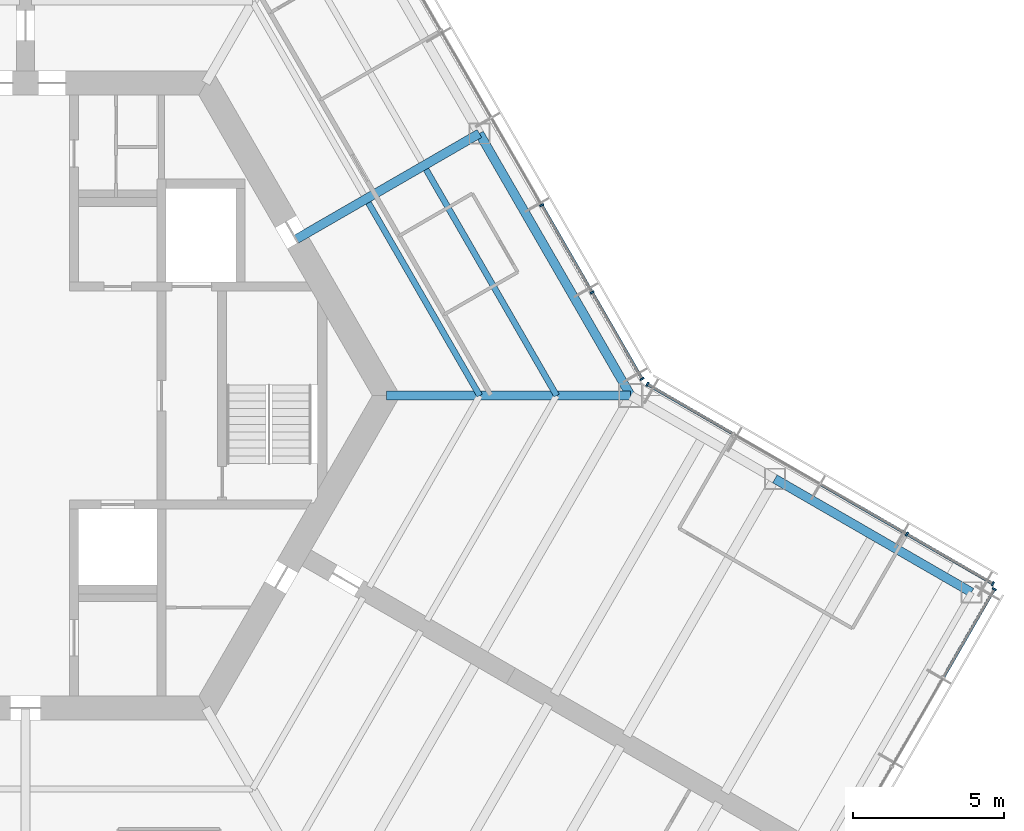
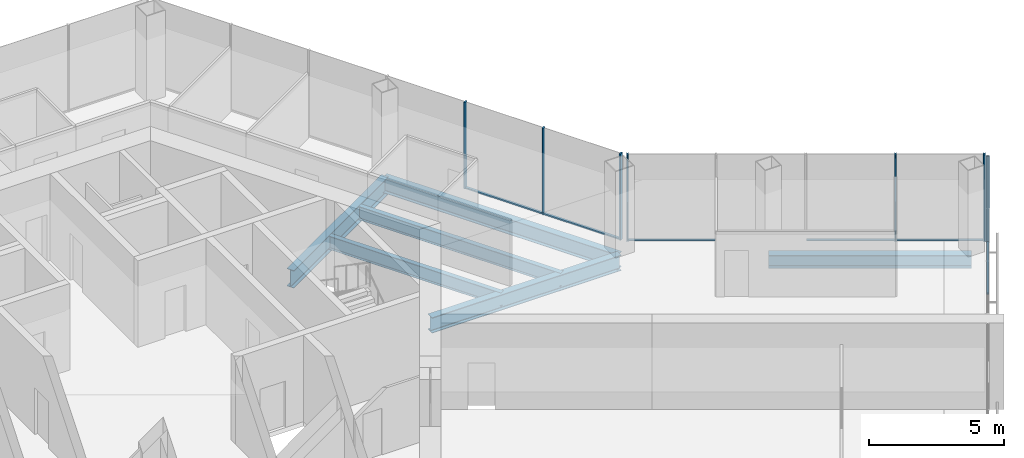
# One storey, part 5 of 15: 13 members, 6 beams, 3 elements without a shape of their own.
"""IFC4 building model written with IfcOpenShell, lengths in metres."""

from ifc_helpers import new_model, si_unit, direction, frame, origin, origin_2d, place, context, subcontext, project, spatial, rectangle, i_section, extrude, material, material_profile, profile_set, type_object, element, aggregate, save


model = new_model("IFC4")

# Units and contexts
model_context = context("Model", 3, precision=1e-05, world=origin(), true_north=direction((0.0, 1.0)))
body_context = subcontext(model_context, "Body", "Model", "MODEL_VIEW")
ifc_project = project(units=[si_unit("LENGTHUNIT", "METRE"), si_unit("AREAUNIT", "SQUARE_METRE"), si_unit("VOLUMEUNIT", "CUBIC_METRE"), si_unit("PLANEANGLEUNIT", "RADIAN"), si_unit("MASSUNIT", "GRAM", prefix="KILO")], contexts=[model_context])

# Site, building, storey
site_placement = place(None, origin())
site = spatial("IfcSite", under=ifc_project, at=site_placement, CompositionType="ELEMENT")
building_placement = place(site_placement, origin())
building = spatial("IfcBuilding", under=site, at=building_placement, Name="Kasaneha Research Tower", CompositionType="ELEMENT")
storey_placement = place(building_placement, frame((0.0, 0.0, 244.0)))
storey = spatial("IfcBuildingStorey", under=building, at=storey_placement, Name="L61", CompositionType="ELEMENT", Elevation=244.0)

# Beams
ifc_material_1 = material(Name="Steel SN490B", Category="steel")
ifc_material_profile_1 = material_profile(ifc_material_1, i_section(OverallWidth=0.199951171875, OverallDepth=0.60009765625, WebThickness=0.010986328125, FlangeThickness=0.01708984375, FilletRadius=0.012939453125, at=origin_2d()), Name="H-600x200x11x17")
ifc_profile_set_1 = profile_set([ifc_material_profile_1], Name="Steel SN490B")
beam_type_1 = type_object("IfcBeamType", Name="B1-3 secondary beam H-600x200x11x17", PredefinedType="JOIST", material=ifc_profile_set_1)
beam_1_placement = place(storey_placement, frame((15.010986328125, 0.0, -0.449951171875), z_axis=(-0.499994443168, 0.866028611999, 0.0), x_axis=(-0.866028611999, -0.499994443168, 0.0)))
element("IfcBeam", 1, at=beam_1_placement, inside=storey, type_object=beam_type_1, Name="Secondary beam RS030L1 L61", PredefinedType="JOIST", context=body_context, shape_type="SweptSolid", body=[
    extrude(i_section(OverallWidth=0.199951171875, OverallDepth=0.60009765625, WebThickness=0.010986328125, FlangeThickness=0.01708984375, FilletRadius=0.012939453125, at=origin_2d()), origin(), (0.0, 0.0, 1.0), 7.35546875),
])
beam_2_placement = place(storey_placement, frame((17.551513671875, 0.0, -0.449951171875), z_axis=(-0.5000050195, 0.866022505755, 0.0), x_axis=(-0.866022505755, -0.5000050195, 0.0)))
element("IfcBeam", 2, at=beam_2_placement, inside=storey, type_object=beam_type_1, Name="Secondary beam RS030L2 L61", PredefinedType="JOIST", context=body_context, shape_type="SweptSolid", body=[
    extrude(i_section(OverallWidth=0.199951171875, OverallDepth=0.60009765625, WebThickness=0.010986328125, FlangeThickness=0.01708984375, FilletRadius=0.012939453125, at=origin_2d()), origin(), (0.0, 0.0, 1.0), 8.6259765625),
])

# Curtain wall, members
ifc_material_2 = material(Name="Glass and aluminium", Category="aluminium")
curtain_wall_type = type_object("IfcCurtainWallType", Name="High-rise office curtain wall", PredefinedType="USERDEFINED", material=ifc_material_2)
curtain_wall_1_placement = place(storey_placement, origin())
curtain_wall_1 = element("IfcCurtainWall", 3, at=curtain_wall_1_placement, inside=storey, type_object=curtain_wall_type, Name="CW-O3 L61 run 01a", ObjectType="UNITISED CURTAIN WALL", PredefinedType="USERDEFINED")
ifc_material_3 = material(Name="Aluminium 6063-T6", Category="aluminium")
ifc_material_profile_2 = material_profile(ifc_material_3, rectangle(XDim=0.06005859375, YDim=0.139892578125, at=origin_2d()), Name="CW-O3 mullion 60x140")
ifc_profile_set_2 = profile_set([ifc_material_profile_2], Name="Aluminium 6063-T6")
member_type_1 = type_object("IfcMemberType", Name="CW-O3 mullion", PredefinedType="MULLION", material=ifc_profile_set_2)
member_1_placement = place(storey_placement, frame((20.374267578125, 0.5517578125, 0.0), z_axis=(0.0, 0.0, 1.0), x_axis=(-0.499999979232, 0.866025415775, 0.0)))
member_1 = element("IfcMember", 4, at=member_1_placement, type_object=member_type_1, Name="CW-O3 mullion 1", PredefinedType="MULLION", context=body_context, shape_type="SweptSolid", body=[
    extrude(rectangle(XDim=0.06005859375, YDim=0.139892578125, at=origin_2d()), origin(), (0.0, 0.0, 1.0), 3.89990234375),
])
member_2_placement = place(storey_placement, frame((18.723876953125, 3.410400390625, 0.0), z_axis=(0.0, 0.0, 1.0), x_axis=(-0.499999979232, 0.866025415775, 0.0)))
member_2 = element("IfcMember", 5, at=member_2_placement, type_object=member_type_1, Name="CW-O3 mullion 2", PredefinedType="MULLION", context=body_context, shape_type="SweptSolid", body=[
    extrude(rectangle(XDim=0.06005859375, YDim=0.139892578125, at=origin_2d()), origin(), (0.0, 0.0, 1.0), 3.89990234375),
])
member_3_placement = place(storey_placement, frame((17.058349609375, 6.295166015625, 0.0), z_axis=(0.0, 0.0, 1.0), x_axis=(-0.499999979232, 0.866025415775, 0.0)))
member_3 = element("IfcMember", 6, at=member_3_placement, type_object=member_type_1, Name="CW-O3 mullion 3", PredefinedType="MULLION", context=body_context, shape_type="SweptSolid", body=[
    extrude(rectangle(XDim=0.06005859375, YDim=0.139892578125, at=origin_2d()), origin(), (0.0, 0.0, 1.0), 3.89990234375),
])

# Curtain wall, member
curtain_wall_2_placement = place(storey_placement, origin())
curtain_wall_2 = element("IfcCurtainWall", 7, at=curtain_wall_2_placement, inside=storey, type_object=curtain_wall_type, Name="CW-O3 L61 run 08a", ObjectType="UNITISED CURTAIN WALL", PredefinedType="USERDEFINED")
member_4_placement = place(storey_placement, frame((32.012939453125, -6.39306640625, 0.0), z_axis=(0.0, 0.0, 1.0), x_axis=(0.500000011442, 0.866025397178, 0.0)))
member_4 = element("IfcMember", 8, at=member_4_placement, type_object=member_type_1, Name="CW-O3 mullion 4", PredefinedType="MULLION", context=body_context, shape_type="SweptSolid", body=[
    extrude(rectangle(XDim=0.06005859375, YDim=0.139892578125, at=origin_2d()), origin(), (0.0, 0.0, 1.0), 3.89990234375),
])

# Curtain wall, members
curtain_wall_3_placement = place(storey_placement, origin())
curtain_wall_3 = element("IfcCurtainWall", 9, at=curtain_wall_3_placement, inside=storey, type_object=curtain_wall_type, Name="CW-O3 L61 run 09a", ObjectType="UNITISED CURTAIN WALL", PredefinedType="USERDEFINED")
member_5_placement = place(storey_placement, frame((31.96533203125, -6.21533203125, 0.0), z_axis=(0.0, 0.0, 1.0), x_axis=(-0.866025411464, 0.499999986699, 0.0)))
member_5 = element("IfcMember", 10, at=member_5_placement, type_object=member_type_1, Name="CW-O3 mullion 1", PredefinedType="MULLION", context=body_context, shape_type="SweptSolid", body=[
    extrude(rectangle(XDim=0.06005859375, YDim=0.139892578125, at=origin_2d()), origin(), (0.0, 0.0, 1.0), 3.89990234375),
])
member_6_placement = place(storey_placement, frame((29.125, -4.575439453125, 0.0), z_axis=(0.0, 0.0, 1.0), x_axis=(-0.866025411464, 0.499999986699, 0.0)))
member_6 = element("IfcMember", 11, at=member_6_placement, type_object=member_type_1, Name="CW-O3 mullion 2", PredefinedType="MULLION", context=body_context, shape_type="SweptSolid", body=[
    extrude(rectangle(XDim=0.06005859375, YDim=0.139892578125, at=origin_2d()), origin(), (0.0, 0.0, 1.0), 3.89990234375),
])
member_7_placement = place(storey_placement, frame((20.5517578125, 0.374267578125, 0.0), z_axis=(0.0, 0.0, 1.0), x_axis=(-0.866025411464, 0.499999986699, 0.0)))
member_7 = element("IfcMember", 12, at=member_7_placement, type_object=member_type_1, Name="CW-O3 mullion 5", PredefinedType="MULLION", context=body_context, shape_type="SweptSolid", body=[
    extrude(rectangle(XDim=0.06005859375, YDim=0.139892578125, at=origin_2d()), origin(), (0.0, 0.0, 1.0), 3.89990234375),
])

# Member
ifc_material_4 = material(Name="Aluminium 6063-T6", Category="aluminium")
ifc_material_profile_3 = material_profile(ifc_material_4, rectangle(XDim=0.10009765625, YDim=0.06005859375, at=origin_2d()), Name="CW-O3 transom 100x60")
ifc_profile_set_3 = profile_set([ifc_material_profile_3], Name="Aluminium 6063-T6")
member_type_2 = type_object("IfcMemberType", Name="CW-O3 transom", PredefinedType="USERDEFINED", material=ifc_profile_set_3)
member_8_placement = place(storey_placement, frame((20.359130859375, 0.577880859375, 0.030029296875), z_axis=(-0.499987643696, 0.866032537582, 0.0), x_axis=(-0.866032537582, -0.499987643696, 0.0)))
member_8 = element("IfcMember", 13, at=member_8_placement, type_object=member_type_2, Name="CW-O3 transom 1", ObjectType="TRANSOM", PredefinedType="USERDEFINED", context=body_context, shape_type="SweptSolid", body=[
    extrude(rectangle(XDim=0.10009765625, YDim=0.06005859375, at=origin_2d()), origin(), (0.0, 0.0, 1.0), 3.24072265625),
])

member_9_placement = place(storey_placement, frame((18.708740234375, 3.4365234375, 0.030029296875), z_axis=(-0.500000270186, 0.866025247793, 0.0), x_axis=(-0.866025247793, -0.500000270186, 0.0)))
member_9 = element("IfcMember", 14, at=member_9_placement, type_object=member_type_2, Name="CW-O3 transom 2", ObjectType="TRANSOM", PredefinedType="USERDEFINED", context=body_context, shape_type="SweptSolid", body=[
    extrude(rectangle(XDim=0.10009765625, YDim=0.06005859375, at=origin_2d()), origin(), (0.0, 0.0, 1.0), 3.27099609375),
])

aggregate(curtain_wall_1, [member_1, member_2, member_3, member_8, member_9])

member_10_placement = place(storey_placement, frame((30.343017578125, -9.285400390625, 0.030029296875), z_axis=(0.500018282537, 0.866014848099, 0.0), x_axis=(-0.866014848099, 0.500018282537, 0.0)))
member_10 = element("IfcMember", 15, at=member_10_placement, type_object=member_type_2, Name="CW-O3 transom 3", ObjectType="TRANSOM", PredefinedType="USERDEFINED", context=body_context, shape_type="SweptSolid", body=[
    extrude(rectangle(XDim=0.10009765625, YDim=0.06005859375, at=origin_2d()), origin(), (0.0, 0.0, 1.0), 3.31005859375),
])

aggregate(curtain_wall_2, [member_4, member_10])

member_11_placement = place(storey_placement, frame((31.939453125, -6.200439453125, 0.030029296875), z_axis=(-0.866041647767, 0.499971863542, 0.0), x_axis=(-0.499971863542, -0.866041647767, 0.0)))
member_11 = element("IfcMember", 16, at=member_11_placement, type_object=member_type_2, Name="CW-O3 transom 1", ObjectType="TRANSOM", PredefinedType="USERDEFINED", context=body_context, shape_type="SweptSolid", body=[
    extrude(rectangle(XDim=0.10009765625, YDim=0.06005859375, at=origin_2d()), origin(), (0.0, 0.0, 1.0), 3.219970703125),
])

member_12_placement = place(storey_placement, frame((29.098876953125, -4.560546875, 0.030029296875), z_axis=(-0.86599666273, 0.500049777664, 0.0), x_axis=(-0.500049777664, -0.86599666273, 0.0)))
member_12 = element("IfcMember", 17, at=member_12_placement, type_object=member_type_2, Name="CW-O3 transom 2", ObjectType="TRANSOM", PredefinedType="USERDEFINED", context=body_context, shape_type="SweptSolid", body=[
    extrude(rectangle(XDim=0.10009765625, YDim=0.06005859375, at=origin_2d()), origin(), (0.0, 0.0, 1.0), 3.249755859375),
])

member_13_placement = place(storey_placement, frame((23.3662109375, -1.250732421875, 0.030029296875), z_axis=(-0.866022692473, 0.500004696101, 0.0), x_axis=(-0.500004696101, -0.866022692473, 0.0)))
member_13 = element("IfcMember", 18, at=member_13_placement, type_object=member_type_2, Name="CW-O3 transom 4", ObjectType="TRANSOM", PredefinedType="USERDEFINED", context=body_context, shape_type="SweptSolid", body=[
    extrude(rectangle(XDim=0.10009765625, YDim=0.06005859375, at=origin_2d()), origin(), (0.0, 0.0, 1.0), 3.2197265625),
])

aggregate(curtain_wall_3, [member_5, member_6, member_7, member_11, member_12, member_13])

# Beams
ifc_material_5 = material(Name="Steel SN490B", Category="steel")
ifc_material_profile_4 = material_profile(ifc_material_5, i_section(OverallWidth=0.300048828125, OverallDepth=0.699951171875, WebThickness=0.012939453125, FlangeThickness=0.02392578125, FilletRadius=0.01806640625, at=origin_2d()), Name="H-700x300x13x24")
ifc_profile_set_4 = profile_set([ifc_material_profile_4], Name="Steel SN490B")
beam_type_2 = type_object("IfcBeamType", Name="G1-3 radial girder H-700x300x13x24", PredefinedType="BEAM", material=ifc_profile_set_4)
beam_3_placement = place(storey_placement, frame((11.92236328125, 0.0, -0.5), z_axis=(1.0, 0.0, 0.0), x_axis=(0.0, 1.0, 0.0)))
element("IfcBeam", 19, at=beam_3_placement, inside=storey, type_object=beam_type_2, Name="Radial girder RV000 L61", PredefinedType="BEAM", context=body_context, shape_type="SweptSolid", body=[
    extrude(i_section(OverallWidth=0.300048828125, OverallDepth=0.699951171875, WebThickness=0.012939453125, FlangeThickness=0.02392578125, FilletRadius=0.01806640625, at=origin_2d()), origin(), (0.0, 0.0, 1.0), 8.07763671875),
])
ifc_material_6 = material(Name="Steel SN490B", Category="steel")
ifc_material_profile_5 = material_profile(ifc_material_6, i_section(OverallWidth=0.300048828125, OverallDepth=0.800048828125, WebThickness=0.013916015625, FlangeThickness=0.02587890625, FilletRadius=0.01806640625, at=origin_2d()), Name="H-800x300x14x26")
ifc_profile_set_5 = profile_set([ifc_material_profile_5], Name="Steel SN490B")
beam_type_3 = type_object("IfcBeamType", Name="G2-3 radial girder H-800x300x14x26", PredefinedType="BEAM", material=ifc_profile_set_5)
beam_4_placement = place(storey_placement, frame((8.941650390625, 5.16259765625, -0.550048828125), z_axis=(0.866039713508, 0.499975214012, 0.0), x_axis=(-0.499975214012, 0.866039713508, 0.0)))
element("IfcBeam", 20, at=beam_4_placement, inside=storey, type_object=beam_type_3, Name="Radial girder RM030 L61", PredefinedType="BEAM", context=body_context, shape_type="SweptSolid", body=[
    extrude(i_section(OverallWidth=0.300048828125, OverallDepth=0.800048828125, WebThickness=0.013916015625, FlangeThickness=0.02587890625, FilletRadius=0.01806640625, at=origin_2d()), origin(), (0.0, 0.0, 1.0), 6.995361328125),
])
ifc_material_7 = material(Name="Steel SN490B", Category="steel")
ifc_material_profile_6 = material_profile(ifc_material_7, i_section(OverallWidth=0.300048828125, OverallDepth=0.69189453125, WebThickness=0.012939453125, FlangeThickness=0.02001953125, FilletRadius=0.01806640625, at=origin_2d()), Name="H-692x300x13x20")
ifc_profile_set_6 = profile_set([ifc_material_profile_6], Name="Steel SN490B")
beam_type_4 = type_object("IfcBeamType", Name="SB1-3 spandrel beam H-692x300x13x20", PredefinedType="SPANDREL", material=ifc_profile_set_6)
beam_5_placement = place(storey_placement, frame((20.0, 0.0, -0.49609375), z_axis=(-0.500004234368, 0.866022959057, 0.0), x_axis=(-0.866022959057, -0.500004234368, 0.0)))
element("IfcBeam", 21, at=beam_5_placement, inside=storey, type_object=beam_type_4, Name="Spandrel beam SR030L L61", PredefinedType="SPANDREL", context=body_context, shape_type="SweptSolid", body=[
    extrude(i_section(OverallWidth=0.300048828125, OverallDepth=0.69189453125, WebThickness=0.012939453125, FlangeThickness=0.02001953125, FilletRadius=0.01806640625, at=origin_2d()), origin(), (0.0, 0.0, 1.0), 10.0),
])
ifc_material_8 = material(Name="Steel SN490B", Category="steel")
ifc_material_profile_7 = material_profile(ifc_material_8, i_section(OverallWidth=0.300048828125, OverallDepth=0.58203125, WebThickness=0.011962890625, FlangeThickness=0.01708984375, FilletRadius=0.012939453125, at=origin_2d()), Name="H-582x300x12x17")
ifc_profile_set_7 = profile_set([ifc_material_profile_7], Name="Steel SN490B")
beam_type_5 = type_object("IfcBeamType", Name="SB2-3 spandrel beam H-582x300x12x17", PredefinedType="SPANDREL", material=ifc_profile_set_7)
beam_6_placement = place(storey_placement, frame((24.76318359375, -2.75, -0.44091796875), z_axis=(0.866022959057, -0.500004234368, 0.0), x_axis=(0.500004234368, 0.866022959057, 0.0)))
element("IfcBeam", 22, at=beam_6_placement, inside=storey, type_object=beam_type_5, Name="Spandrel beam WSCN2 L61", PredefinedType="SPANDREL", context=body_context, shape_type="SweptSolid", body=[
    extrude(i_section(OverallWidth=0.300048828125, OverallDepth=0.58203125, WebThickness=0.011962890625, FlangeThickness=0.01708984375, FilletRadius=0.012939453125, at=origin_2d()), origin(), (0.0, 0.0, 1.0), 7.5),
])

save(model, "model.ifc")
